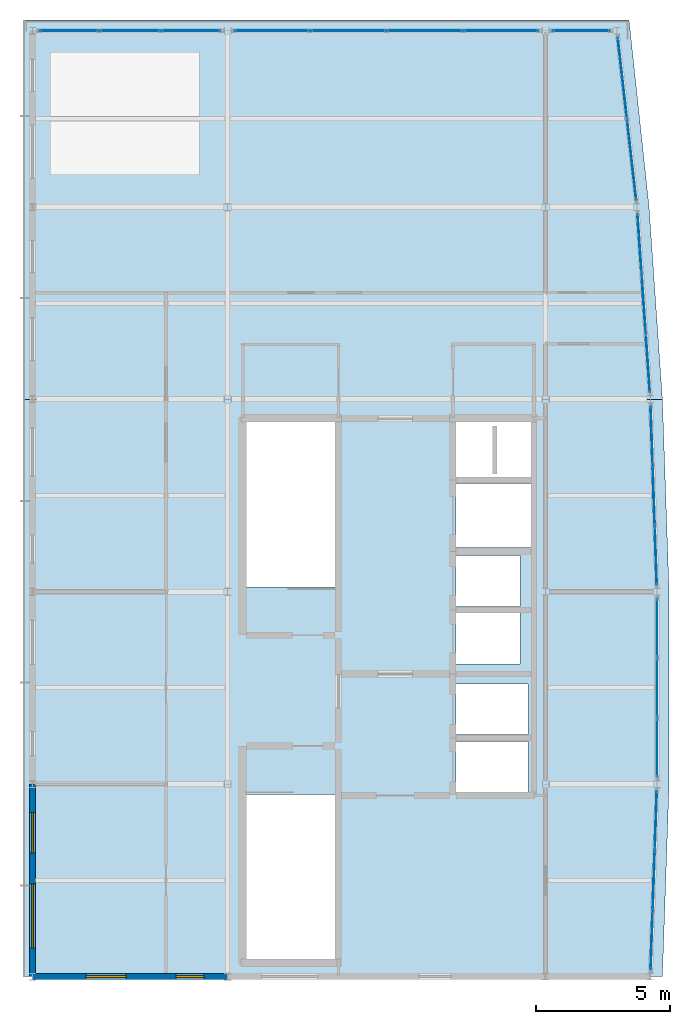
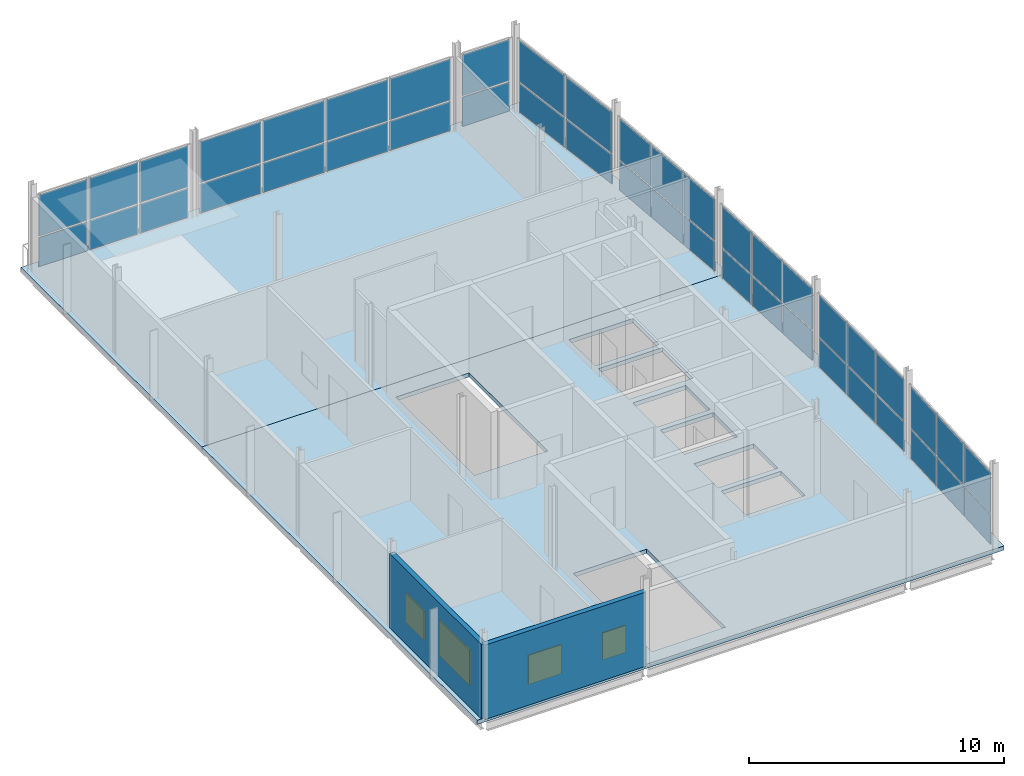
# One storey, part 10 of 14: 44 plates, 4 windows, 2 slabs, 2 walls, 4 openings, 8 elements without a shape of their own.
"""IFC4 building model written with IfcOpenShell, lengths in metres."""

from ifc_helpers import new_model, si_unit, direction, frame, frame_2d, origin, origin_2d, place, context, subcontext, project, spatial, polyline, rectangle, outline, extrude, material, layer, layer_set, type_object, element, fill, aggregate, save


model = new_model("IFC4")

# Units and contexts
model_context = context("Model", 3, precision=1e-05, world=origin(), true_north=direction((0.0, 1.0)))
body_context = subcontext(model_context, "Body", "Model", "MODEL_VIEW")
ifc_project = project(units=[si_unit("LENGTHUNIT", "METRE"), si_unit("AREAUNIT", "SQUARE_METRE"), si_unit("VOLUMEUNIT", "CUBIC_METRE"), si_unit("PLANEANGLEUNIT", "RADIAN"), si_unit("MASSUNIT", "GRAM", prefix="KILO")], contexts=[model_context])

# Site, building, storey
site_placement = place(None, origin())
site = spatial("IfcSite", under=ifc_project, at=site_placement, CompositionType="ELEMENT")
building_placement = place(site_placement, origin())
building = spatial("IfcBuilding", under=site, at=building_placement, Name="Quillay Park Conservatory", CompositionType="ELEMENT")
storey_placement = place(building_placement, frame((0.0, 0.0, 64.5)))
storey = spatial("IfcBuildingStorey", under=building, at=storey_placement, Name="L15", CompositionType="ELEMENT", Elevation=64.5)

# Curtain wall, plates
ifc_material_1 = material(Name="Thermally Broken Anodised Aluminium 6063-T6", Category="aluminium")
ifc_layer_1 = layer(ifc_material_1, 0.179931640625)
ifc_layer_set_1 = layer_set([ifc_layer_1], Name="UNITISED CURTAIN WALL TOWER (Thermally Broken Anodised Aluminium 6063-T6)")
curtain_wall_type = type_object("IfcCurtainWallType", Name="UNITISED CURTAIN WALL TOWER", PredefinedType="USERDEFINED", material=ifc_layer_set_1)
curtain_wall_1_placement = place(storey_placement, origin())
curtain_wall_1 = element("IfcCurtainWall", 1, at=curtain_wall_1_placement, inside=storey, type_object=curtain_wall_type, Name="L15 Unitised Curtain Wall 139", ObjectType="UNITISED CURTAIN WALL", PredefinedType="USERDEFINED")
ifc_material_2 = material(Name="Low-E Double Glazing (Laminated Tempered)", Category="glass")
ifc_layer_2 = layer(ifc_material_2, 0.028076171875)
ifc_layer_set_2 = layer_set([ifc_layer_2], Name="CURTAIN WALL GLAZED PANEL 28 (Low-E Double Glazing (Laminated Tempered))")
plate_type = type_object("IfcPlateType", Name="CURTAIN WALL GLAZED PANEL 28", PredefinedType="CURTAIN_PANEL", material=ifc_layer_set_2)
plate_1_placement = place(storey_placement, frame((23.878173828125, 83.849365234375, 0.070068359375), z_axis=(0.0, 0.0, 1.0), x_axis=(-0.034713338537, -0.999397310446, 0.0)))
plate_1 = element("IfcPlate", 2, at=plate_1_placement, type_object=plate_type, Name="CW-T1 panel 1.1", PredefinedType="CURTAIN_PANEL", context=body_context, shape_type="SweptSolid", body=[
    extrude(rectangle(XDim=2.1630859375, YDim=0.028076171875, at=origin_2d()), origin(), (0.0, 0.0, 1.0), 1.39599609375),
])
plate_2_placement = place(storey_placement, frame((23.878173828125, 83.849365234375, 1.5361328125), z_axis=(0.0, 0.0, 1.0), x_axis=(-0.034713338537, -0.999397310446, 0.0)))
plate_2 = element("IfcPlate", 3, at=plate_2_placement, type_object=plate_type, Name="CW-T1 panel 1.2", PredefinedType="CURTAIN_PANEL", context=body_context, shape_type="SweptSolid", body=[
    extrude(rectangle(XDim=2.1630859375, YDim=0.028076171875, at=origin_2d()), origin(), (0.0, 0.0, 1.0), 1.968017578125),
])
plate_3_placement = place(storey_placement, frame((23.800048828125, 81.60009765625, 0.070068359375), z_axis=(0.0, 0.0, 1.0), x_axis=(-0.034713338537, -0.999397310446, 0.0)))
plate_3 = element("IfcPlate", 4, at=plate_3_placement, type_object=plate_type, Name="CW-T1 panel 2.1", PredefinedType="CURTAIN_PANEL", context=body_context, shape_type="SweptSolid", body=[
    extrude(rectangle(XDim=2.197998046875, YDim=0.028076171875, at=origin_2d()), origin(), (0.0, 0.0, 1.0), 1.39599609375),
])
plate_4_placement = place(storey_placement, frame((23.800048828125, 81.60009765625, 1.5361328125), z_axis=(0.0, 0.0, 1.0), x_axis=(-0.034713338537, -0.999397310446, 0.0)))
plate_4 = element("IfcPlate", 5, at=plate_4_placement, type_object=plate_type, Name="CW-T1 panel 2.2", PredefinedType="CURTAIN_PANEL", context=body_context, shape_type="SweptSolid", body=[
    extrude(rectangle(XDim=2.197998046875, YDim=0.028076171875, at=origin_2d()), origin(), (0.0, 0.0, 1.0), 1.968017578125),
])
plate_5_placement = place(storey_placement, frame((23.721923828125, 79.350830078125, 0.070068359375), z_axis=(0.0, 0.0, 1.0), x_axis=(-0.034713338537, -0.999397310446, 0.0)))
plate_5 = element("IfcPlate", 6, at=plate_5_placement, type_object=plate_type, Name="CW-T1 panel 3.1", PredefinedType="CURTAIN_PANEL", context=body_context, shape_type="SweptSolid", body=[
    extrude(rectangle(XDim=2.1630859375, YDim=0.028076171875, at=origin_2d()), origin(), (0.0, 0.0, 1.0), 1.39599609375),
])
plate_6_placement = place(storey_placement, frame((23.721923828125, 79.350830078125, 1.5361328125), z_axis=(0.0, 0.0, 1.0), x_axis=(-0.034713338537, -0.999397310446, 0.0)))
plate_6 = element("IfcPlate", 7, at=plate_6_placement, type_object=plate_type, Name="CW-T1 panel 3.2", PredefinedType="CURTAIN_PANEL", context=body_context, shape_type="SweptSolid", body=[
    extrude(rectangle(XDim=2.1630859375, YDim=0.028076171875, at=origin_2d()), origin(), (0.0, 0.0, 1.0), 1.968017578125),
])
aggregate(curtain_wall_1, [plate_1, plate_2, plate_3, plate_4, plate_5, plate_6])

curtain_wall_2_placement = place(storey_placement, origin())
curtain_wall_2 = element("IfcCurtainWall", 8, at=curtain_wall_2_placement, inside=storey, type_object=curtain_wall_type, Name="L15 Unitised Curtain Wall 140", ObjectType="UNITISED CURTAIN WALL", PredefinedType="USERDEFINED")
plate_7_placement = place(storey_placement, frame((23.925048828125, 91.049072265625, 0.070068359375), z_axis=(0.0, 0.0, 1.0), x_axis=(0.0, -1.0, 0.0)))
plate_7 = element("IfcPlate", 9, at=plate_7_placement, type_object=plate_type, Name="CW-T1 panel 1.1", PredefinedType="CURTAIN_PANEL", context=body_context, shape_type="SweptSolid", body=[
    extrude(rectangle(XDim=2.16162109375, YDim=0.028076171875, at=origin_2d()), origin(), (0.0, 0.0, 1.0), 1.39599609375),
])
plate_8_placement = place(storey_placement, frame((23.925048828125, 91.049072265625, 1.5361328125), z_axis=(0.0, 0.0, 1.0), x_axis=(0.0, -1.0, 0.0)))
plate_8 = element("IfcPlate", 10, at=plate_8_placement, type_object=plate_type, Name="CW-T1 panel 1.2", PredefinedType="CURTAIN_PANEL", context=body_context, shape_type="SweptSolid", body=[
    extrude(rectangle(XDim=2.16162109375, YDim=0.028076171875, at=origin_2d()), origin(), (0.0, 0.0, 1.0), 1.968017578125),
])
plate_9_placement = place(storey_placement, frame((23.925048828125, 88.800048828125, 0.070068359375), z_axis=(0.0, 0.0, 1.0), x_axis=(0.0, -1.0, 0.0)))
plate_9 = element("IfcPlate", 11, at=plate_9_placement, type_object=plate_type, Name="CW-T1 panel 2.1", PredefinedType="CURTAIN_PANEL", context=body_context, shape_type="SweptSolid", body=[
    extrude(rectangle(XDim=2.19677734375, YDim=0.028076171875, at=origin_2d()), origin(), (0.0, 0.0, 1.0), 1.39599609375),
])
plate_10_placement = place(storey_placement, frame((23.925048828125, 88.800048828125, 1.5361328125), z_axis=(0.0, 0.0, 1.0), x_axis=(0.0, -1.0, 0.0)))
plate_10 = element("IfcPlate", 12, at=plate_10_placement, type_object=plate_type, Name="CW-T1 panel 2.2", PredefinedType="CURTAIN_PANEL", context=body_context, shape_type="SweptSolid", body=[
    extrude(rectangle(XDim=2.19677734375, YDim=0.028076171875, at=origin_2d()), origin(), (0.0, 0.0, 1.0), 1.968017578125),
])
plate_11_placement = place(storey_placement, frame((23.925048828125, 86.55078125, 0.070068359375), z_axis=(0.0, 0.0, 1.0), x_axis=(0.0, -1.0, 0.0)))
plate_11 = element("IfcPlate", 13, at=plate_11_placement, type_object=plate_type, Name="CW-T1 panel 3.1", PredefinedType="CURTAIN_PANEL", context=body_context, shape_type="SweptSolid", body=[
    extrude(rectangle(XDim=2.16162109375, YDim=0.028076171875, at=origin_2d()), origin(), (0.0, 0.0, 1.0), 1.39599609375),
])
plate_12_placement = place(storey_placement, frame((23.925048828125, 86.55078125, 1.5361328125), z_axis=(0.0, 0.0, 1.0), x_axis=(0.0, -1.0, 0.0)))
plate_12 = element("IfcPlate", 14, at=plate_12_placement, type_object=plate_type, Name="CW-T1 panel 3.2", PredefinedType="CURTAIN_PANEL", context=body_context, shape_type="SweptSolid", body=[
    extrude(rectangle(XDim=2.16162109375, YDim=0.028076171875, at=origin_2d()), origin(), (0.0, 0.0, 1.0), 1.968017578125),
])
aggregate(curtain_wall_2, [plate_7, plate_8, plate_9, plate_10, plate_11, plate_12])

curtain_wall_3_placement = place(storey_placement, origin())
curtain_wall_3 = element("IfcCurtainWall", 15, at=curtain_wall_3_placement, inside=storey, type_object=curtain_wall_type, Name="L15 Unitised Curtain Wall 141", ObjectType="UNITISED CURTAIN WALL", PredefinedType="USERDEFINED")
plate_13_placement = place(storey_placement, frame((23.721923828125, 98.249267578125, 0.070068359375), z_axis=(0.0, 0.0, 1.0), x_axis=(0.034713338537, -0.999397310446, 0.0)))
plate_13 = element("IfcPlate", 16, at=plate_13_placement, type_object=plate_type, Name="CW-T1 panel 1.1", PredefinedType="CURTAIN_PANEL", context=body_context, shape_type="SweptSolid", body=[
    extrude(rectangle(XDim=2.1630859375, YDim=0.028076171875, at=origin_2d()), origin(), (0.0, 0.0, 1.0), 1.39599609375),
])
plate_14_placement = place(storey_placement, frame((23.721923828125, 98.249267578125, 1.5361328125), z_axis=(0.0, 0.0, 1.0), x_axis=(0.034713338537, -0.999397310446, 0.0)))
plate_14 = element("IfcPlate", 17, at=plate_14_placement, type_object=plate_type, Name="CW-T1 panel 1.2", PredefinedType="CURTAIN_PANEL", context=body_context, shape_type="SweptSolid", body=[
    extrude(rectangle(XDim=2.1630859375, YDim=0.028076171875, at=origin_2d()), origin(), (0.0, 0.0, 1.0), 1.968017578125),
])
plate_15_placement = place(storey_placement, frame((23.800048828125, 96.0, 0.070068359375), z_axis=(0.0, 0.0, 1.0), x_axis=(0.034713338537, -0.999397310446, 0.0)))
plate_15 = element("IfcPlate", 18, at=plate_15_placement, type_object=plate_type, Name="CW-T1 panel 2.1", PredefinedType="CURTAIN_PANEL", context=body_context, shape_type="SweptSolid", body=[
    extrude(rectangle(XDim=2.197998046875, YDim=0.028076171875, at=origin_2d()), origin(), (0.0, 0.0, 1.0), 1.39599609375),
])
plate_16_placement = place(storey_placement, frame((23.800048828125, 96.0, 1.5361328125), z_axis=(0.0, 0.0, 1.0), x_axis=(0.034713338537, -0.999397310446, 0.0)))
plate_16 = element("IfcPlate", 19, at=plate_16_placement, type_object=plate_type, Name="CW-T1 panel 2.2", PredefinedType="CURTAIN_PANEL", context=body_context, shape_type="SweptSolid", body=[
    extrude(rectangle(XDim=2.197998046875, YDim=0.028076171875, at=origin_2d()), origin(), (0.0, 0.0, 1.0), 1.968017578125),
])
plate_17_placement = place(storey_placement, frame((23.878173828125, 93.750732421875, 0.070068359375), z_axis=(0.0, 0.0, 1.0), x_axis=(0.034713338537, -0.999397310446, 0.0)))
plate_17 = element("IfcPlate", 20, at=plate_17_placement, type_object=plate_type, Name="CW-T1 panel 3.1", PredefinedType="CURTAIN_PANEL", context=body_context, shape_type="SweptSolid", body=[
    extrude(rectangle(XDim=2.1630859375, YDim=0.028076171875, at=origin_2d()), origin(), (0.0, 0.0, 1.0), 1.39599609375),
])
plate_18_placement = place(storey_placement, frame((23.878173828125, 93.750732421875, 1.5361328125), z_axis=(0.0, 0.0, 1.0), x_axis=(0.034713338537, -0.999397310446, 0.0)))
plate_18 = element("IfcPlate", 21, at=plate_18_placement, type_object=plate_type, Name="CW-T1 panel 3.2", PredefinedType="CURTAIN_PANEL", context=body_context, shape_type="SweptSolid", body=[
    extrude(rectangle(XDim=2.1630859375, YDim=0.028076171875, at=origin_2d()), origin(), (0.0, 0.0, 1.0), 1.968017578125),
])
aggregate(curtain_wall_3, [plate_13, plate_14, plate_15, plate_16, plate_17, plate_18])

curtain_wall_4_placement = place(storey_placement, origin())
curtain_wall_4 = element("IfcCurtainWall", 22, at=curtain_wall_4_placement, inside=storey, type_object=curtain_wall_type, Name="L15 Unitised Curtain Wall 142", ObjectType="UNITISED CURTAIN WALL", PredefinedType="USERDEFINED")
plate_19_placement = place(storey_placement, frame((23.268798828125, 105.449462890625, 0.070068359375), z_axis=(0.0, 0.0, 1.0), x_axis=(0.069264217159, -0.99759835015, 0.0)))
plate_19 = element("IfcPlate", 23, at=plate_19_placement, type_object=plate_type, Name="CW-T1 panel 1.1", PredefinedType="CURTAIN_PANEL", context=body_context, shape_type="SweptSolid", body=[
    extrude(rectangle(XDim=2.16748046875, YDim=0.028076171875, at=origin_2d()), origin(), (0.0, 0.0, 1.0), 1.39599609375),
])
plate_20_placement = place(storey_placement, frame((23.268798828125, 105.449462890625, 1.5361328125), z_axis=(0.0, 0.0, 1.0), x_axis=(0.069264217159, -0.99759835015, 0.0)))
plate_20 = element("IfcPlate", 24, at=plate_20_placement, type_object=plate_type, Name="CW-T1 panel 1.2", PredefinedType="CURTAIN_PANEL", context=body_context, shape_type="SweptSolid", body=[
    extrude(rectangle(XDim=2.16748046875, YDim=0.028076171875, at=origin_2d()), origin(), (0.0, 0.0, 1.0), 1.968017578125),
])
plate_21_placement = place(storey_placement, frame((23.425048828125, 103.199951171875, 0.070068359375), z_axis=(0.0, 0.0, 1.0), x_axis=(0.069264217159, -0.99759835015, 0.0)))
plate_21 = element("IfcPlate", 25, at=plate_21_placement, type_object=plate_type, Name="CW-T1 panel 2.1", PredefinedType="CURTAIN_PANEL", context=body_context, shape_type="SweptSolid", body=[
    extrude(rectangle(XDim=2.202392578125, YDim=0.028076171875, at=origin_2d()), origin(), (0.0, 0.0, 1.0), 1.39599609375),
])
plate_22_placement = place(storey_placement, frame((23.425048828125, 103.199951171875, 1.5361328125), z_axis=(0.0, 0.0, 1.0), x_axis=(0.069264217159, -0.99759835015, 0.0)))
plate_22 = element("IfcPlate", 26, at=plate_22_placement, type_object=plate_type, Name="CW-T1 panel 2.2", PredefinedType="CURTAIN_PANEL", context=body_context, shape_type="SweptSolid", body=[
    extrude(rectangle(XDim=2.202392578125, YDim=0.028076171875, at=origin_2d()), origin(), (0.0, 0.0, 1.0), 1.968017578125),
])
plate_23_placement = place(storey_placement, frame((23.581298828125, 100.950439453125, 0.070068359375), z_axis=(0.0, 0.0, 1.0), x_axis=(0.069264217159, -0.99759835015, 0.0)))
plate_23 = element("IfcPlate", 27, at=plate_23_placement, type_object=plate_type, Name="CW-T1 panel 3.1", PredefinedType="CURTAIN_PANEL", context=body_context, shape_type="SweptSolid", body=[
    extrude(rectangle(XDim=2.16748046875, YDim=0.028076171875, at=origin_2d()), origin(), (0.0, 0.0, 1.0), 1.39599609375),
])
plate_24_placement = place(storey_placement, frame((23.581298828125, 100.950439453125, 1.5361328125), z_axis=(0.0, 0.0, 1.0), x_axis=(0.069264217159, -0.99759835015, 0.0)))
plate_24 = element("IfcPlate", 28, at=plate_24_placement, type_object=plate_type, Name="CW-T1 panel 3.2", PredefinedType="CURTAIN_PANEL", context=body_context, shape_type="SweptSolid", body=[
    extrude(rectangle(XDim=2.16748046875, YDim=0.028076171875, at=origin_2d()), origin(), (0.0, 0.0, 1.0), 1.968017578125),
])
aggregate(curtain_wall_4, [plate_19, plate_20, plate_21, plate_22, plate_23, plate_24])

curtain_wall_5_placement = place(storey_placement, origin())
curtain_wall_5 = element("IfcCurtainWall", 29, at=curtain_wall_5_placement, inside=storey, type_object=curtain_wall_type, Name="L15 Unitised Curtain Wall 143", ObjectType="UNITISED CURTAIN WALL", PredefinedType="USERDEFINED")
plate_25_placement = place(storey_placement, frame((22.625732421875, 111.63330078125, 0.070068359375), z_axis=(0.0, 0.0, 1.0), x_axis=(0.112903218278, -0.993605989969, 0.0)))
plate_25 = element("IfcPlate", 30, at=plate_25_placement, type_object=plate_type, Name="CW-T1 panel 1.1", PredefinedType="CURTAIN_PANEL", context=body_context, shape_type="SweptSolid", body=[
    extrude(rectangle(XDim=3.016357421875, YDim=0.028076171875, at=origin_2d()), origin(), (0.0, 0.0, 1.0), 1.39599609375),
])
plate_26_placement = place(storey_placement, frame((22.625732421875, 111.63330078125, 1.5361328125), z_axis=(0.0, 0.0, 1.0), x_axis=(0.112903218278, -0.993605989969, 0.0)))
plate_26 = element("IfcPlate", 31, at=plate_26_placement, type_object=plate_type, Name="CW-T1 panel 1.2", PredefinedType="CURTAIN_PANEL", context=body_context, shape_type="SweptSolid", body=[
    extrude(rectangle(XDim=3.016357421875, YDim=0.028076171875, at=origin_2d()), origin(), (0.0, 0.0, 1.0), 1.968017578125),
])
plate_27_placement = place(storey_placement, frame((22.97412109375, 108.566650390625, 0.070068359375), z_axis=(0.0, 0.0, 1.0), x_axis=(0.112903218278, -0.993605989969, 0.0)))
plate_27 = element("IfcPlate", 32, at=plate_27_placement, type_object=plate_type, Name="CW-T1 panel 2.1", PredefinedType="CURTAIN_PANEL", context=body_context, shape_type="SweptSolid", body=[
    extrude(rectangle(XDim=3.016357421875, YDim=0.028076171875, at=origin_2d()), origin(), (0.0, 0.0, 1.0), 1.39599609375),
])
plate_28_placement = place(storey_placement, frame((22.97412109375, 108.566650390625, 1.5361328125), z_axis=(0.0, 0.0, 1.0), x_axis=(0.112903218278, -0.993605989969, 0.0)))
plate_28 = element("IfcPlate", 33, at=plate_28_placement, type_object=plate_type, Name="CW-T1 panel 2.2", PredefinedType="CURTAIN_PANEL", context=body_context, shape_type="SweptSolid", body=[
    extrude(rectangle(XDim=3.016357421875, YDim=0.028076171875, at=origin_2d()), origin(), (0.0, 0.0, 1.0), 1.968017578125),
])
aggregate(curtain_wall_5, [plate_25, plate_26, plate_27, plate_28])

curtain_wall_6_placement = place(storey_placement, origin())
curtain_wall_6 = element("IfcCurtainWall", 34, at=curtain_wall_6_placement, inside=storey, type_object=curtain_wall_type, Name="L15 Unitised Curtain Wall 144", ObjectType="UNITISED CURTAIN WALL", PredefinedType="USERDEFINED")
plate_29_placement = place(storey_placement, frame((1.91748046875, 113.39990234375, 0.070068359375), z_axis=(0.0, 0.0, 1.0), x_axis=(1.0, 0.0, 0.0)))
plate_29 = element("IfcPlate", 35, at=plate_29_placement, type_object=plate_type, Name="CW-T1 panel 1.1", PredefinedType="CURTAIN_PANEL", context=body_context, shape_type="SweptSolid", body=[
    extrude(rectangle(XDim=2.195068359375, YDim=0.028076171875, at=origin_2d()), origin(), (0.0, 0.0, 1.0), 1.39599609375),
])
plate_30_placement = place(storey_placement, frame((1.91748046875, 113.39990234375, 1.5361328125), z_axis=(0.0, 0.0, 1.0), x_axis=(1.0, 0.0, 0.0)))
plate_30 = element("IfcPlate", 36, at=plate_30_placement, type_object=plate_type, Name="CW-T1 panel 1.2", PredefinedType="CURTAIN_PANEL", context=body_context, shape_type="SweptSolid", body=[
    extrude(rectangle(XDim=2.195068359375, YDim=0.028076171875, at=origin_2d()), origin(), (0.0, 0.0, 1.0), 1.968017578125),
])
plate_31_placement = place(storey_placement, frame((4.199951171875, 113.39990234375, 0.070068359375), z_axis=(0.0, 0.0, 1.0), x_axis=(1.0, 0.0, 0.0)))
plate_31 = element("IfcPlate", 37, at=plate_31_placement, type_object=plate_type, Name="CW-T1 panel 2.1", PredefinedType="CURTAIN_PANEL", context=body_context, shape_type="SweptSolid", body=[
    extrude(rectangle(XDim=2.22998046875, YDim=0.028076171875, at=origin_2d()), origin(), (0.0, 0.0, 1.0), 1.39599609375),
])
plate_32_placement = place(storey_placement, frame((4.199951171875, 113.39990234375, 1.5361328125), z_axis=(0.0, 0.0, 1.0), x_axis=(1.0, 0.0, 0.0)))
plate_32 = element("IfcPlate", 38, at=plate_32_placement, type_object=plate_type, Name="CW-T1 panel 2.2", PredefinedType="CURTAIN_PANEL", context=body_context, shape_type="SweptSolid", body=[
    extrude(rectangle(XDim=2.22998046875, YDim=0.028076171875, at=origin_2d()), origin(), (0.0, 0.0, 1.0), 1.968017578125),
])
plate_33_placement = place(storey_placement, frame((6.482421875, 113.39990234375, 0.070068359375), z_axis=(0.0, 0.0, 1.0), x_axis=(1.0, 0.0, 0.0)))
plate_33 = element("IfcPlate", 39, at=plate_33_placement, type_object=plate_type, Name="CW-T1 panel 3.1", PredefinedType="CURTAIN_PANEL", context=body_context, shape_type="SweptSolid", body=[
    extrude(rectangle(XDim=2.195068359375, YDim=0.028076171875, at=origin_2d()), origin(), (0.0, 0.0, 1.0), 1.39599609375),
])
plate_34_placement = place(storey_placement, frame((6.482421875, 113.39990234375, 1.5361328125), z_axis=(0.0, 0.0, 1.0), x_axis=(1.0, 0.0, 0.0)))
plate_34 = element("IfcPlate", 40, at=plate_34_placement, type_object=plate_type, Name="CW-T1 panel 3.2", PredefinedType="CURTAIN_PANEL", context=body_context, shape_type="SweptSolid", body=[
    extrude(rectangle(XDim=2.195068359375, YDim=0.028076171875, at=origin_2d()), origin(), (0.0, 0.0, 1.0), 1.968017578125),
])
aggregate(curtain_wall_6, [plate_29, plate_30, plate_31, plate_32, plate_33, plate_34])

curtain_wall_7_placement = place(storey_placement, origin())
curtain_wall_7 = element("IfcCurtainWall", 41, at=curtain_wall_7_placement, inside=storey, type_object=curtain_wall_type, Name="L15 Unitised Curtain Wall 145", ObjectType="UNITISED CURTAIN WALL", PredefinedType="USERDEFINED")
plate_35_placement = place(storey_placement, frame((9.5048828125, 113.39990234375, 0.070068359375), z_axis=(0.0, 0.0, 1.0), x_axis=(1.0, 0.0, 0.0)))
plate_35 = element("IfcPlate", 42, at=plate_35_placement, type_object=plate_type, Name="CW-T1 panel 1.1", PredefinedType="CURTAIN_PANEL", context=body_context, shape_type="SweptSolid", body=[
    extrude(rectangle(XDim=2.77001953125, YDim=0.028076171875, at=origin_2d()), origin(), (0.0, 0.0, 1.0), 1.39599609375),
])
plate_36_placement = place(storey_placement, frame((9.5048828125, 113.39990234375, 1.5361328125), z_axis=(0.0, 0.0, 1.0), x_axis=(1.0, 0.0, 0.0)))
plate_36 = element("IfcPlate", 43, at=plate_36_placement, type_object=plate_type, Name="CW-T1 panel 1.2", PredefinedType="CURTAIN_PANEL", context=body_context, shape_type="SweptSolid", body=[
    extrude(rectangle(XDim=2.77001953125, YDim=0.028076171875, at=origin_2d()), origin(), (0.0, 0.0, 1.0), 1.968017578125),
])
plate_37_placement = place(storey_placement, frame((12.362548828125, 113.39990234375, 0.070068359375), z_axis=(0.0, 0.0, 1.0), x_axis=(1.0, 0.0, 0.0)))
plate_37 = element("IfcPlate", 44, at=plate_37_placement, type_object=plate_type, Name="CW-T1 panel 2.1", PredefinedType="CURTAIN_PANEL", context=body_context, shape_type="SweptSolid", body=[
    extrude(rectangle(XDim=2.804931640625, YDim=0.028076171875, at=origin_2d()), origin(), (0.0, 0.0, 1.0), 1.39599609375),
])
plate_38_placement = place(storey_placement, frame((12.362548828125, 113.39990234375, 1.5361328125), z_axis=(0.0, 0.0, 1.0), x_axis=(1.0, 0.0, 0.0)))
plate_38 = element("IfcPlate", 45, at=plate_38_placement, type_object=plate_type, Name="CW-T1 panel 2.2", PredefinedType="CURTAIN_PANEL", context=body_context, shape_type="SweptSolid", body=[
    extrude(rectangle(XDim=2.804931640625, YDim=0.028076171875, at=origin_2d()), origin(), (0.0, 0.0, 1.0), 1.968017578125),
])
plate_39_placement = place(storey_placement, frame((15.237548828125, 113.39990234375, 0.070068359375), z_axis=(0.0, 0.0, 1.0), x_axis=(1.0, 0.0, 0.0)))
plate_39 = element("IfcPlate", 46, at=plate_39_placement, type_object=plate_type, Name="CW-T1 panel 3.1", PredefinedType="CURTAIN_PANEL", context=body_context, shape_type="SweptSolid", body=[
    extrude(rectangle(XDim=2.804931640625, YDim=0.028076171875, at=origin_2d()), origin(), (0.0, 0.0, 1.0), 1.39599609375),
])
plate_40_placement = place(storey_placement, frame((15.237548828125, 113.39990234375, 1.5361328125), z_axis=(0.0, 0.0, 1.0), x_axis=(1.0, 0.0, 0.0)))
plate_40 = element("IfcPlate", 47, at=plate_40_placement, type_object=plate_type, Name="CW-T1 panel 3.2", PredefinedType="CURTAIN_PANEL", context=body_context, shape_type="SweptSolid", body=[
    extrude(rectangle(XDim=2.804931640625, YDim=0.028076171875, at=origin_2d()), origin(), (0.0, 0.0, 1.0), 1.968017578125),
])
plate_41_placement = place(storey_placement, frame((18.094970703125, 113.39990234375, 0.070068359375), z_axis=(0.0, 0.0, 1.0), x_axis=(1.0, 0.0, 0.0)))
plate_41 = element("IfcPlate", 48, at=plate_41_placement, type_object=plate_type, Name="CW-T1 panel 4.1", PredefinedType="CURTAIN_PANEL", context=body_context, shape_type="SweptSolid", body=[
    extrude(rectangle(XDim=2.77001953125, YDim=0.028076171875, at=origin_2d()), origin(), (0.0, 0.0, 1.0), 1.39599609375),
])
plate_42_placement = place(storey_placement, frame((18.094970703125, 113.39990234375, 1.5361328125), z_axis=(0.0, 0.0, 1.0), x_axis=(1.0, 0.0, 0.0)))
plate_42 = element("IfcPlate", 49, at=plate_42_placement, type_object=plate_type, Name="CW-T1 panel 4.2", PredefinedType="CURTAIN_PANEL", context=body_context, shape_type="SweptSolid", body=[
    extrude(rectangle(XDim=2.77001953125, YDim=0.028076171875, at=origin_2d()), origin(), (0.0, 0.0, 1.0), 1.968017578125),
])
aggregate(curtain_wall_7, [plate_35, plate_36, plate_37, plate_38, plate_39, plate_40, plate_41, plate_42])

curtain_wall_8_placement = place(storey_placement, origin())
curtain_wall_8 = element("IfcCurtainWall", 50, at=curtain_wall_8_placement, inside=storey, type_object=curtain_wall_type, Name="L15 Unitised Curtain Wall 146", ObjectType="UNITISED CURTAIN WALL", PredefinedType="USERDEFINED")
plate_43_placement = place(storey_placement, frame((21.08740234375, 113.39990234375, 0.070068359375), z_axis=(0.0, 0.0, 1.0), x_axis=(1.0, 0.0, 0.0)))
plate_43 = element("IfcPlate", 51, at=plate_43_placement, type_object=plate_type, Name="CW-T1 panel 1.1", PredefinedType="CURTAIN_PANEL", context=body_context, shape_type="SweptSolid", body=[
    extrude(rectangle(XDim=2.135009765625, YDim=0.028076171875, at=origin_2d()), origin(), (0.0, 0.0, 1.0), 1.39599609375),
])
plate_44_placement = place(storey_placement, frame((21.08740234375, 113.39990234375, 1.5361328125), z_axis=(0.0, 0.0, 1.0), x_axis=(1.0, 0.0, 0.0)))
plate_44 = element("IfcPlate", 52, at=plate_44_placement, type_object=plate_type, Name="CW-T1 panel 1.2", PredefinedType="CURTAIN_PANEL", context=body_context, shape_type="SweptSolid", body=[
    extrude(rectangle(XDim=2.135009765625, YDim=0.028076171875, at=origin_2d()), origin(), (0.0, 0.0, 1.0), 1.968017578125),
])
aggregate(curtain_wall_8, [plate_43, plate_44])

# Slabs
ifc_material_3 = material(Name="Concrete C35/45 (NCh170 Concrete C35/45)", Category="concrete")
ifc_layer_3 = layer(ifc_material_3, 0.199951171875)
ifc_layer_set_3 = layer_set([ifc_layer_3], Name="SUSPENDED FLOOR SLAB 180 (Concrete C35/45 (NCh170 Concrete C35/45))")
slab_type = type_object("IfcSlabType", Name="SUSPENDED FLOOR SLAB 180", PredefinedType="FLOOR", material=ifc_layer_set_3)
slab_1_placement = place(storey_placement, frame((0.0, 0.0, -0.199951171875)))
element("IfcSlab", 53, at=slab_1_placement, inside=storey, type_object=slab_type, Name="L15 Research Tower South Chord Plate", PredefinedType="FLOOR", context=body_context, shape_type="SweptSolid", body=[
    extrude(outline(polyline([(0.25, 78.0), (24.125, 78.0), (24.375, 85.199951171875), (24.375, 92.39990234375), (24.125, 99.60009765625), (0.25, 99.60009765625), (0.25, 78.0)]), holes=[polyline([(8.550048828125, 92.580078125), (11.8701171875, 92.580078125), (11.8701171875, 98.75), (8.550048828125, 98.75), (8.550048828125, 92.580078125)]), polyline([(8.550048828125, 78.64990234375), (11.8701171875, 78.64990234375), (11.8701171875, 84.820068359375), (8.550048828125, 84.820068359375), (8.550048828125, 78.64990234375)]), polyline([(16.39990234375, 84.89990234375), (19.10009765625, 84.89990234375), (19.10009765625, 86.800048828125), (16.39990234375, 86.800048828125), (16.39990234375, 84.89990234375)]), polyline([(16.39990234375, 87.050048828125), (19.10009765625, 87.050048828125), (19.10009765625, 88.949951171875), (16.39990234375, 88.949951171875), (16.39990234375, 87.050048828125)]), polyline([(16.39990234375, 89.699951171875), (18.800048828125, 89.699951171875), (18.800048828125, 91.60009765625), (16.39990234375, 91.60009765625), (16.39990234375, 89.699951171875)]), polyline([(16.39990234375, 91.85009765625), (18.800048828125, 91.85009765625), (18.800048828125, 93.75), (16.39990234375, 93.75), (16.39990234375, 91.85009765625)]), polyline([(16.39990234375, 94.050048828125), (19.300048828125, 94.050048828125), (19.300048828125, 96.449951171875), (16.39990234375, 96.449951171875), (16.39990234375, 94.050048828125)]), polyline([(16.39990234375, 96.699951171875), (19.300048828125, 96.699951171875), (19.300048828125, 98.75), (16.39990234375, 98.75), (16.39990234375, 96.699951171875)])]), origin(), (0.0, 0.0, 1.0), 0.199951171875),
])
slab_2_placement = place(storey_placement, frame((0.0, 0.0, -0.199951171875)))
element("IfcSlab", 54, at=slab_2_placement, inside=storey, type_object=slab_type, Name="L15 Research Tower North Chord Plate", PredefinedType="FLOOR", context=body_context, shape_type="SweptSolid", body=[
    extrude(outline(polyline([(0.25, 99.60009765625), (24.125, 99.60009765625), (23.625, 106.800048828125), (22.875, 113.800048828125), (0.25, 113.800048828125), (0.25, 99.60009765625)])), origin(), (0.0, 0.0, 1.0), 0.199951171875),
])

# Wall, openings, windows
ifc_material_4 = material(Name="Glass-Fibre Reinforced Concrete (GRC) Cladding", Category="concrete")
ifc_layer_4 = layer(ifc_material_4, 0.219970703125)
ifc_layer_set_4 = layer_set([ifc_layer_4], Name="EXTERIOR SOLID WALL 220 (Glass-Fibre Reinforced Concrete (GRC) Cladding)")
wall_type = type_object("IfcWallType", Name="EXTERIOR SOLID WALL 220", PredefinedType="SOLIDWALL", material=ifc_layer_set_4)
wall_1_placement = place(storey_placement, frame((0.550048828125, 78.0, 0.0), z_axis=(0.0, 0.0, 1.0), x_axis=(0.0, 1.0, 0.0)))
wall_1 = element("IfcWall", 55, at=wall_1_placement, inside=storey, type_object=wall_type, Name="L15 External Wall WL-EXT-V4W-L15-0", PredefinedType="SOLIDWALL", context=body_context, shape_type="SweptSolid", body=[
    extrude(rectangle(XDim=7.199951171875, YDim=0.219970703125, at=frame_2d((3.60009765625, 0.0))), origin(), (0.0, 0.0, 1.0), 3.56201171875),
])
opening_1_placement = place(wall_1_placement, frame((1.070068359375, 0.0, 0.919921875)))
opening_1 = element("IfcOpeningElement", 56, at=opening_1_placement, cuts=wall_1, Name="Opening W-16", PredefinedType="OPENING", context=body_context, shape_type="SweptSolid", body=[
    extrude(rectangle(XDim=2.39990234375, YDim=1.699951171875, at=frame_2d((1.199951171875, 0.85009765625))), frame((0.0, 0.10986328125, 0.0), z_axis=(0.0, -1.0, 0.0), x_axis=(1.0, 0.0, 0.0)), (0.0, 0.0, 1.0), 0.219970703125),
])
opening_2_placement = place(wall_1_placement, frame((4.6298828125, 0.0, 0.919921875)))
opening_2 = element("IfcOpeningElement", 57, at=opening_2_placement, cuts=wall_1, Name="Opening W-03", PredefinedType="OPENING", context=body_context, shape_type="SweptSolid", body=[
    extrude(rectangle(XDim=1.5, YDim=1.39990234375, at=frame_2d((0.75, 0.699951171875))), frame((0.0, 0.10986328125, 0.0), z_axis=(0.0, -1.0, 0.0), x_axis=(1.0, 0.0, 0.0)), (0.0, 0.0, 1.0), 0.219970703125),
])
ifc_material_5 = material(Name="Low-E Double Glazing (Laminated Tempered)", Category="glass")
window_type_1 = type_object("IfcWindowType", Name="FIXED CASEMENT WINDOW 1500 X1400", PartitioningType="SINGLE_PANEL", PredefinedType="WINDOW", material=ifc_material_5)
window_1_placement = place(opening_2_placement, origin())
window_1 = element("IfcWindow", 58, at=window_1_placement, inside=storey, type_object=window_type_1, Name="L15 Exterior Window 0317", OverallHeight=1.39990234375, OverallWidth=1.5, PartitioningType="SINGLE_PANEL", PredefinedType="WINDOW", context=body_context, shape_type="SweptSolid", body=[
    extrude(rectangle(XDim=1.5, YDim=1.39990234375, at=frame_2d((0.75, 0.699951171875))), frame((0.0, 0.030029296875, 0.0), z_axis=(0.0, -1.0, 0.0), x_axis=(1.0, 0.0, 0.0)), (0.0, 0.0, 1.0), 0.06005859375),
])
fill(opening_2, window_1)
ifc_material_6 = material(Name="Low-E Double Glazing (Laminated Tempered)", Category="glass")
window_type_2 = type_object("IfcWindowType", Name="FIXED CASEMENT WINDOW 2400 X1700", PartitioningType="DOUBLE_PANEL_VERTICAL", PredefinedType="WINDOW", material=ifc_material_6)
window_2_placement = place(opening_1_placement, origin())
window_2 = element("IfcWindow", 59, at=window_2_placement, inside=storey, type_object=window_type_2, Name="L15 Exterior Window 0316", OverallHeight=1.699951171875, OverallWidth=2.39990234375, PartitioningType="DOUBLE_PANEL_VERTICAL", PredefinedType="WINDOW", context=body_context, shape_type="SweptSolid", body=[
    extrude(rectangle(XDim=2.39990234375, YDim=1.699951171875, at=frame_2d((1.199951171875, 0.85009765625))), frame((0.0, 0.030029296875, 0.0), z_axis=(0.0, -1.0, 0.0), x_axis=(1.0, 0.0, 0.0)), (0.0, 0.0, 1.0), 0.06005859375),
])
fill(opening_1, window_2)

wall_2_placement = place(storey_placement, frame((7.85009765625, 78.0, 0.0), z_axis=(0.0, 0.0, 1.0), x_axis=(-1.0, 0.0, 0.0)))
wall_2 = element("IfcWall", 60, at=wall_2_placement, inside=storey, type_object=wall_type, Name="L15 External Wall WL-EXT-V4S1-L15", PredefinedType="SOLIDWALL", context=body_context, shape_type="SweptSolid", body=[
    extrude(rectangle(XDim=7.300048828125, YDim=0.219970703125, at=frame_2d((3.64990234375, 0.0))), origin(), (0.0, 0.0, 1.0), 3.56201171875),
])
opening_3_placement = place(wall_2_placement, frame((0.8798828125, 0.0, 0.919921875)))
opening_3 = element("IfcOpeningElement", 61, at=opening_3_placement, cuts=wall_2, Name="Opening W-18", PredefinedType="OPENING", context=body_context, shape_type="SweptSolid", body=[
    extrude(rectangle(XDim=1.050048828125, YDim=1.300048828125, at=frame_2d((0.52490234375, 0.64990234375))), frame((0.0, 0.10986328125, 0.0), z_axis=(0.0, -1.0, 0.0), x_axis=(1.0, 0.0, 0.0)), (0.0, 0.0, 1.0), 0.219970703125),
])
opening_4_placement = place(wall_2_placement, frame((3.794921875, 0.0, 0.919921875)))
opening_4 = element("IfcOpeningElement", 62, at=opening_4_placement, cuts=wall_2, Name="Opening W-03", PredefinedType="OPENING", context=body_context, shape_type="SweptSolid", body=[
    extrude(rectangle(XDim=1.5, YDim=1.39990234375, at=frame_2d((0.75, 0.699951171875))), frame((0.0, 0.10986328125, 0.0), z_axis=(0.0, -1.0, 0.0), x_axis=(1.0, 0.0, 0.0)), (0.0, 0.0, 1.0), 0.219970703125),
])
ifc_material_7 = material(Name="Low-E Double Glazing (Laminated Tempered)", Category="glass")
window_type_3 = type_object("IfcWindowType", Name="FIXED CASEMENT WINDOW 1050 X1300", PartitioningType="SINGLE_PANEL", PredefinedType="WINDOW", material=ifc_material_7)
window_3_placement = place(opening_3_placement, origin())
window_3 = element("IfcWindow", 63, at=window_3_placement, inside=storey, type_object=window_type_3, Name="L15 Exterior Window 0326", OverallHeight=1.300048828125, OverallWidth=1.050048828125, PartitioningType="SINGLE_PANEL", PredefinedType="WINDOW", context=body_context, shape_type="SweptSolid", body=[
    extrude(rectangle(XDim=1.050048828125, YDim=1.300048828125, at=frame_2d((0.52490234375, 0.64990234375))), frame((0.0, 0.030029296875, 0.0), z_axis=(0.0, -1.0, 0.0), x_axis=(1.0, 0.0, 0.0)), (0.0, 0.0, 1.0), 0.06005859375),
])
fill(opening_3, window_3)
window_4_placement = place(opening_4_placement, origin())
window_4 = element("IfcWindow", 64, at=window_4_placement, inside=storey, type_object=window_type_1, Name="L15 Exterior Window 0327", OverallHeight=1.39990234375, OverallWidth=1.5, PartitioningType="SINGLE_PANEL", PredefinedType="WINDOW", context=body_context, shape_type="SweptSolid", body=[
    extrude(rectangle(XDim=1.5, YDim=1.39990234375, at=frame_2d((0.75, 0.699951171875))), frame((0.0, 0.030029296875, 0.0), z_axis=(0.0, -1.0, 0.0), x_axis=(1.0, 0.0, 0.0)), (0.0, 0.0, 1.0), 0.06005859375),
])
fill(opening_4, window_4)

save(model, "model.ifc")
